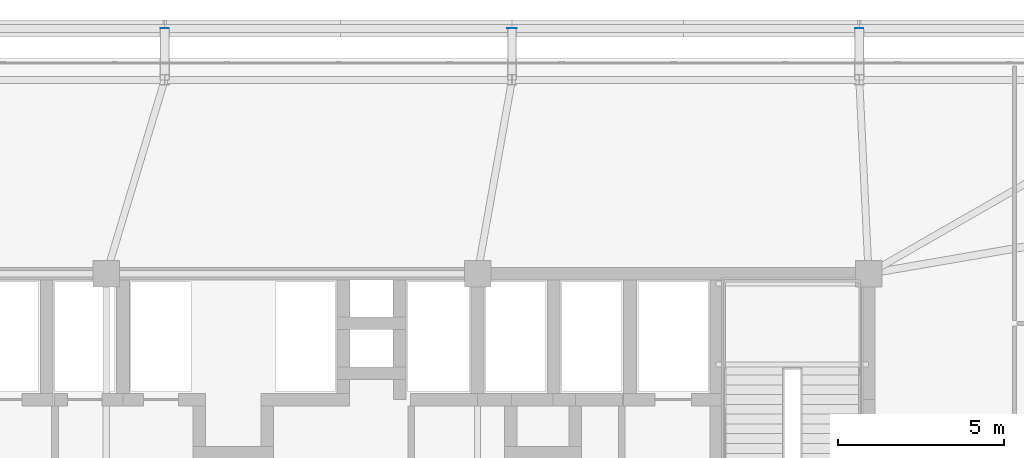
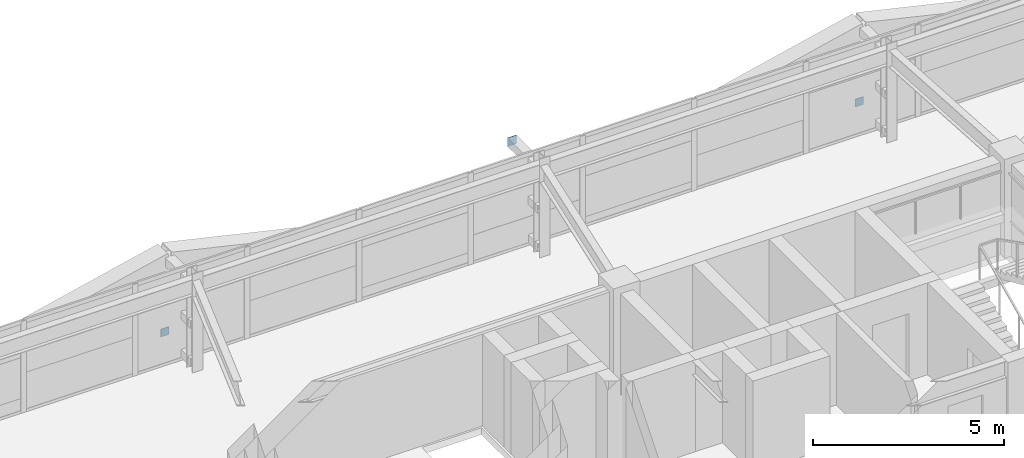
# One storey, part 50 of 58: 3 plates.
"""IFC4 building model written with IfcOpenShell, lengths in metres."""

from ifc_helpers import new_model, si_unit, direction, frame, origin, origin_2d, place, context, subcontext, project, spatial, rectangle, extrude, source, transform, mapped, material, layer, layer_set, type_object, element, save


model = new_model("IFC4")

# Units and contexts
model_context = context("Model", 3, precision=1e-05, world=origin(), true_north=direction((0.0, 1.0)))
body_context = subcontext(model_context, "Body", "Model", "MODEL_VIEW")
ifc_project = project(units=[si_unit("LENGTHUNIT", "METRE"), si_unit("AREAUNIT", "SQUARE_METRE"), si_unit("VOLUMEUNIT", "CUBIC_METRE"), si_unit("PLANEANGLEUNIT", "RADIAN"), si_unit("MASSUNIT", "GRAM", prefix="KILO")], contexts=[model_context])

# Site, building, storey
site_placement = place(None, origin())
site = spatial("IfcSite", under=ifc_project, at=site_placement, CompositionType="ELEMENT")
building_placement = place(site_placement, origin())
building = spatial("IfcBuilding", under=site, at=building_placement, Name="Taldren Reach Tower", CompositionType="ELEMENT")
storey_placement = place(building_placement, frame((0.0, 0.0, 32.550048828125)))
storey = spatial("IfcBuildingStorey", under=building, at=storey_placement, Name="L09", CompositionType="ELEMENT", Elevation=32.550048828125)

# Plates
ifc_material_1 = material(Name="Steel Gr 450 (C450L0)", Category="steel")
ifc_layer_1 = layer(ifc_material_1, 0.011962890625)
ifc_layer_set_1 = layer_set([ifc_layer_1], Name="Steel Gr 450 (C450L0)")
plate_type_1 = type_object("IfcPlateType", Name="PL-CAP-275", PredefinedType="SHEET", material=ifc_layer_set_1)
shared_shape_1 = source(origin(), body_context, "Body", "SweptSolid", [
    extrude(rectangle(XDim=0.27490234375, YDim=0.011962890625, at=origin_2d()), origin(), (0.0, 0.0, 1.0), 0.27490234375),
])
plate_placement = place(storey_placement, frame((40.239990234375, 39.406005859375, 2.512451171875), z_axis=(0.0, 0.0, 1.0), x_axis=(1.0, 0.0, 0.0)))
element("IfcPlate", 1, at=plate_placement, inside=storey, type_object=plate_type_1, Name="Tie strut end cap plate B1-N4 L09", PredefinedType="SHEET", context=body_context, shape_type="MappedRepresentation", body=[
    mapped(shared_shape_1, transform((0.0, 0.0, 0.0), scale=1.0)),
])
ifc_material_2 = material(Name="Steel Gr 350 (C350L0)", Category="steel")
ifc_layer_2 = layer(ifc_material_2, 0.011962890625)
ifc_layer_set_2 = layer_set([ifc_layer_2], Name="Steel Gr 350 (C350L0)")
plate_type_2 = type_object("IfcPlateType", Name="PL-CAP-250", PredefinedType="SHEET", material=ifc_layer_set_2)
shared_shape_2 = source(origin(), body_context, "Body", "SweptSolid", [
    extrude(rectangle(XDim=0.25, YDim=0.011962890625, at=origin_2d()), origin(), (0.0, 0.0, 1.0), 0.25),
])
for number, where, z_axis, x_axis, name in (
    (2, (29.760009765625, 39.406005859375, 0.094970703125), (0.0, 0.0, 1.0), (1.0, 0.0, 0.0), "Tie strut end cap plate B1-N3 L09"),
    (3, (50.719970703125, 39.406005859375, 0.094970703125), (0.0, 0.0, 1.0), (1.0, 0.0, 0.0), "Tie strut end cap plate B1-N5 L09"),
):
    element("IfcPlate", number, at=place(storey_placement, frame(where, z_axis=z_axis, x_axis=x_axis)), inside=storey, type_object=plate_type_2, Name=name, PredefinedType="SHEET", context=body_context, shape_type="MappedRepresentation", body=[
        mapped(shared_shape_2, transform((0.0, 0.0, 0.0), scale=1.0)),
    ])

save(model, "model.ifc")
